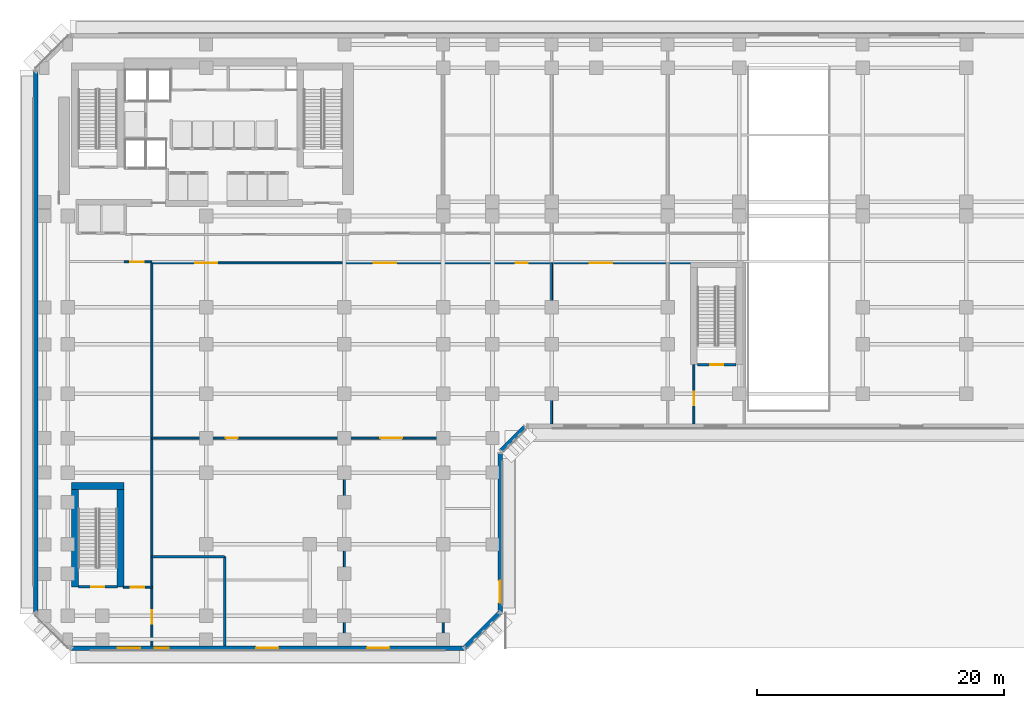
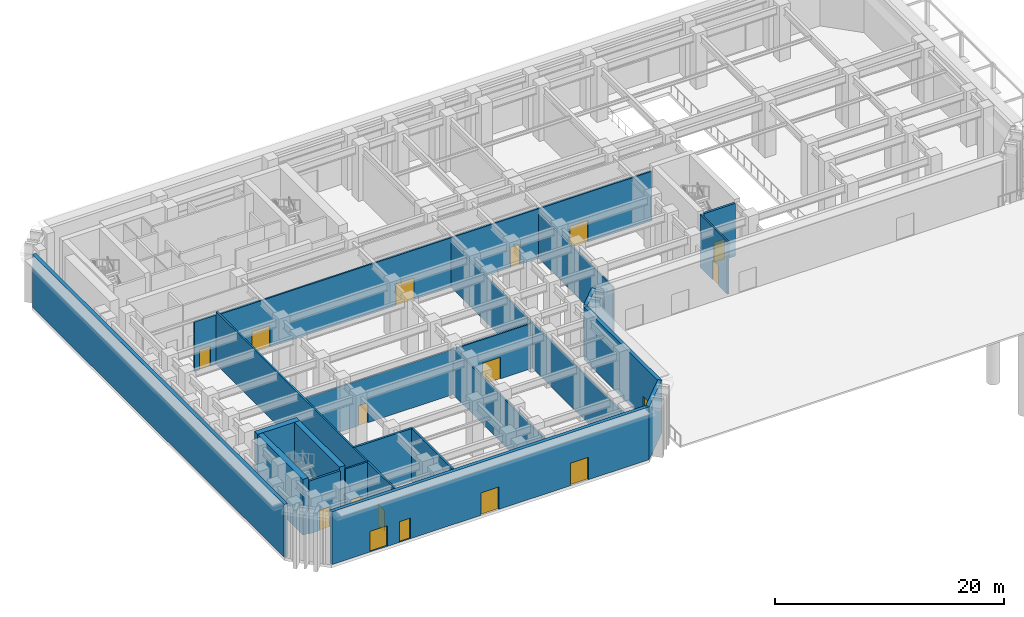
# One storey, part 7 of 18: 21 walls, 17 doors, 17 openings.
"""IFC4 building model written with IfcOpenShell, lengths in metres."""

from ifc_helpers import new_model, si_unit, direction, frame, frame_2d, origin, place, context, subcontext, project, spatial, rectangle, extrude, material, layer, layer_set, type_object, element, fill, save


model = new_model("IFC4")

# Units and contexts
model_context = context("Model", 3, precision=1e-05, world=origin(), true_north=direction((0.0, 1.0)))
body_context = subcontext(model_context, "Body", "Model", "MODEL_VIEW")
ifc_project = project(units=[si_unit("LENGTHUNIT", "METRE"), si_unit("AREAUNIT", "SQUARE_METRE"), si_unit("VOLUMEUNIT", "CUBIC_METRE"), si_unit("PLANEANGLEUNIT", "RADIAN"), si_unit("MASSUNIT", "GRAM", prefix="KILO")], contexts=[model_context])

# Site, building, storey
site_placement = place(None, origin())
site = spatial("IfcSite", under=ifc_project, at=site_placement, CompositionType="ELEMENT")
building_placement = place(site_placement, origin())
building = spatial("IfcBuilding", under=site, at=building_placement, Name="Kefirva Bronze Tower", CompositionType="ELEMENT")
storey_placement = place(building_placement, origin())
storey = spatial("IfcBuildingStorey", under=building, at=storey_placement, Name="L00", CompositionType="ELEMENT", Elevation=0.0)

# Wall, opening, door
ifc_material_1 = material(Name="Gypsum fireboard shaftwall")
ifc_layer_1 = layer(ifc_material_1, 0.219970703125, Name="Gypsum fireboard shaftwall")
ifc_layer_set_1 = layer_set([ifc_layer_1], Name="Gypsum fireboard shaftwall")
wall_type_1 = type_object("IfcWallType", Name="Fire-Rated Shaft Enclosure Wall 220mm", PredefinedType="PARTITIONING", material=ifc_layer_set_1)
wall_1_placement = place(storey_placement, frame((1.64990234375, 3.14990234375, 0.0), z_axis=(0.0, 0.0, 1.0), x_axis=(1.0, 0.0, 0.0)))
wall_1 = element("IfcWall", 1, at=wall_1_placement, inside=storey, type_object=wall_type_1, Name="L00 Partition W-L00-ST3S", PredefinedType="PARTITIONING", context=body_context, shape_type="SweptSolid", body=[
    extrude(rectangle(XDim=3.150146484375, YDim=0.219970703125, at=frame_2d((1.5751953125, 0.0))), origin(), (0.0, 0.0, 1.0), 5.6201171875),
])
opening_1_placement = place(wall_1_placement, frame((2.10009765625, 0.0, 0.0), z_axis=(0.0, 0.0, 1.0), x_axis=(-1.0, 0.0, 0.0)))
opening_1 = element("IfcOpeningElement", 2, at=opening_1_placement, cuts=wall_1, Name="Opening L00-D-ST3", PredefinedType="OPENING", context=body_context, shape_type="SweptSolid", body=[
    extrude(rectangle(XDim=1.050048828125, YDim=2.14990234375, at=frame_2d((0.52490234375, 1.074951171875))), frame((0.0, 0.1201171875, 0.0), z_axis=(0.0, -1.0, 0.0), x_axis=(1.0, 0.0, 0.0)), (0.0, 0.0, 1.0), 0.239990234375),
])
ifc_material_2 = material(Name="Painted galvanized steel", Category="steel")
door_type_1 = type_object("IfcDoorType", Name="Fire Stair Enclosure Door 1050x2150 FD90S", OperationType="NOTDEFINED", PredefinedType="DOOR", material=ifc_material_2)
door_1_placement = place(opening_1_placement, origin())
door_1 = element("IfcDoor", 3, at=door_1_placement, inside=storey, type_object=door_type_1, Name="Door L00-D-ST3", OperationType="SINGLE_SWING_LEFT", OverallHeight=2.14990234375, OverallWidth=1.050048828125, PredefinedType="DOOR", context=body_context, shape_type="SweptSolid", body=[
    extrude(rectangle(XDim=1.050048828125, YDim=2.14990234375, at=frame_2d((0.52490234375, 1.074951171875))), frame((0.0, 0.02490234375, 0.0), z_axis=(0.0, -1.0, 0.0), x_axis=(1.0, 0.0, 0.0)), (0.0, 0.0, 1.0), 0.050048828125),
])
fill(opening_1, door_1)

wall_2_placement = place(storey_placement, frame((51.800048828125, 21.14990234375, 0.0), z_axis=(0.0, 0.0, 1.0), x_axis=(1.0, 0.0, 0.0)))
wall_2 = element("IfcWall", 4, at=wall_2_placement, inside=storey, type_object=wall_type_1, Name="L00 Partition W-L00-ST4S", PredefinedType="PARTITIONING", context=body_context, shape_type="SweptSolid", body=[
    extrude(rectangle(XDim=3.14990234375, YDim=0.219970703125, at=frame_2d((1.574951171875, 0.0))), origin(), (0.0, 0.0, 1.0), 5.6201171875),
])
opening_2_placement = place(wall_2_placement, frame((2.10009765625, 0.0, 0.0), z_axis=(0.0, 0.0, 1.0), x_axis=(-1.0, 0.0, 0.0)))
opening_2 = element("IfcOpeningElement", 5, at=opening_2_placement, cuts=wall_2, Name="Opening L00-D-ST4", PredefinedType="OPENING", context=body_context, shape_type="SweptSolid", body=[
    extrude(rectangle(XDim=1.050048828125, YDim=2.14990234375, at=frame_2d((0.52490234375, 1.074951171875))), frame((0.0, 0.1201171875, 0.0), z_axis=(0.0, -1.0, 0.0), x_axis=(1.0, 0.0, 0.0)), (0.0, 0.0, 1.0), 0.239990234375),
])
door_2_placement = place(opening_2_placement, origin())
door_2 = element("IfcDoor", 6, at=door_2_placement, inside=storey, type_object=door_type_1, Name="Door L00-D-ST4", OperationType="SINGLE_SWING_RIGHT", OverallHeight=2.14990234375, OverallWidth=1.050048828125, PredefinedType="DOOR", context=body_context, shape_type="SweptSolid", body=[
    extrude(rectangle(XDim=1.050048828125, YDim=2.14990234375, at=frame_2d((0.52490234375, 1.074951171875))), frame((0.0, 0.02490234375, 0.0), z_axis=(0.0, -1.0, 0.0), x_axis=(1.0, 0.0, 0.0)), (0.0, 0.0, 1.0), 0.050048828125),
])
fill(opening_2, door_2)

ifc_material_3 = material(Name="Gypsum fireboard barrier")
ifc_layer_2 = layer(ifc_material_3, 0.199951171875, Name="Gypsum fireboard barrier")
ifc_layer_set_2 = layer_set([ifc_layer_2], Name="Gypsum fireboard barrier")
wall_type_2 = type_object("IfcWallType", Name="Firefighting Lobby Barrier Wall 200mm", PredefinedType="PARTITIONING", material=ifc_layer_set_2)
wall_3_placement = place(storey_placement, frame((5.300048828125, 3.1201171875, 0.0), z_axis=(0.0, 0.0, 1.0), x_axis=(1.0, 0.0, 0.0)))
wall_3 = element("IfcWall", 7, at=wall_3_placement, inside=storey, type_object=wall_type_2, Name="L00 Partition W-L00-ST3VN", PredefinedType="PARTITIONING", context=body_context, shape_type="SweptSolid", body=[
    extrude(rectangle(XDim=2.300048828125, YDim=0.159912109375, at=frame_2d((1.14990234375, 0.0))), origin(), (0.0, 0.0, 1.0), 5.6201171875),
])
opening_3_placement = place(wall_3_placement, frame((0.60009765625, 0.0, 0.0)))
opening_3 = element("IfcOpeningElement", 8, at=opening_3_placement, cuts=wall_3, Name="Opening L00-D-ST3VN", PredefinedType="OPENING", context=body_context, shape_type="SweptSolid", body=[
    extrude(rectangle(XDim=1.10009765625, YDim=2.14990234375, at=frame_2d((0.550048828125, 1.074951171875))), frame((0.0, 0.08984375, 0.0), z_axis=(0.0, -1.0, 0.0), x_axis=(1.0, 0.0, 0.0)), (0.0, 0.0, 1.0), 0.179931640625),
])
door_type_2 = type_object("IfcDoorType", Name="Firefighting Lobby Smoke Door 1100x2150 FD60S", OperationType="NOTDEFINED", PredefinedType="DOOR", material=ifc_material_2)
door_3_placement = place(opening_3_placement, origin())
door_3 = element("IfcDoor", 9, at=door_3_placement, inside=storey, type_object=door_type_2, Name="Door L00-D-ST3VN", OperationType="SINGLE_SWING_LEFT", OverallHeight=2.14990234375, OverallWidth=1.10009765625, PredefinedType="DOOR", context=body_context, shape_type="SweptSolid", body=[
    extrude(rectangle(XDim=1.10009765625, YDim=2.14990234375, at=frame_2d((0.550048828125, 1.074951171875))), frame((0.0, 0.02490234375, 0.0), z_axis=(0.0, -1.0, 0.0), x_axis=(1.0, 0.0, 0.0)), (0.0, 0.0, 1.0), 0.050048828125),
])
fill(opening_3, door_3)

wall_4_placement = place(storey_placement, frame((5.35009765625, 29.47998046875, 0.0), z_axis=(0.0, 0.0, 1.0), x_axis=(1.0, 0.0, 0.0)))
wall_4 = element("IfcWall", 10, at=wall_4_placement, inside=storey, type_object=wall_type_2, Name="L00 Partition W-L00-SWCRN", PredefinedType="PARTITIONING", context=body_context, shape_type="SweptSolid", body=[
    extrude(rectangle(XDim=2.25, YDim=0.159912109375, at=frame_2d((1.125, 0.0))), origin(), (0.0, 0.0, 1.0), 5.27490234375),
])
opening_4_placement = place(wall_4_placement, frame((0.5, 0.0, 0.0)))
opening_4 = element("IfcOpeningElement", 11, at=opening_4_placement, cuts=wall_4, Name="Opening L00-D-SWCRN", PredefinedType="OPENING", context=body_context, shape_type="SweptSolid", body=[
    extrude(rectangle(XDim=1.10009765625, YDim=2.14990234375, at=frame_2d((0.550048828125, 1.074951171875))), frame((0.0, 0.08984375, 0.0), z_axis=(0.0, -1.0, 0.0), x_axis=(1.0, 0.0, 0.0)), (0.0, 0.0, 1.0), 0.179931640625),
])
door_4_placement = place(opening_4_placement, origin())
door_4 = element("IfcDoor", 12, at=door_4_placement, inside=storey, type_object=door_type_2, Name="Door L00-D-SWCRN", OperationType="SINGLE_SWING_RIGHT", OverallHeight=2.14990234375, OverallWidth=1.10009765625, PredefinedType="DOOR", context=body_context, shape_type="SweptSolid", body=[
    extrude(rectangle(XDim=1.10009765625, YDim=2.14990234375, at=frame_2d((0.550048828125, 1.074951171875))), frame((0.0, 0.02490234375, 0.0), z_axis=(0.0, -1.0, 0.0), x_axis=(1.0, 0.0, 0.0)), (0.0, 0.0, 1.0), 0.050048828125),
])
fill(opening_4, door_4)

wall_5_placement = place(storey_placement, frame((51.52001953125, 16.360107421875, 0.0), z_axis=(0.0, 0.0, 1.0), x_axis=(0.0, 1.0, 0.0)))
wall_5 = element("IfcWall", 13, at=wall_5_placement, inside=storey, type_object=wall_type_2, Name="L00 Partition W-L00-ST4PW", PredefinedType="PARTITIONING", context=body_context, shape_type="SweptSolid", body=[
    extrude(rectangle(XDim=4.789794921875, YDim=0.159912109375, at=frame_2d((2.39501953125, 0.0))), origin(), (0.0, 0.0, 1.0), 5.6201171875),
])
opening_5_placement = place(wall_5_placement, frame((1.5, 0.0, 0.0)))
opening_5 = element("IfcOpeningElement", 14, at=opening_5_placement, cuts=wall_5, Name="Opening L00-D-ST4PW", PredefinedType="OPENING", context=body_context, shape_type="SweptSolid", body=[
    extrude(rectangle(XDim=1.10009765625, YDim=2.14990234375, at=frame_2d((0.550048828125, 1.074951171875))), frame((0.0, 0.08984375, 0.0), z_axis=(0.0, -1.0, 0.0), x_axis=(1.0, 0.0, 0.0)), (0.0, 0.0, 1.0), 0.179931640625),
])
door_5_placement = place(opening_5_placement, origin())
door_5 = element("IfcDoor", 15, at=door_5_placement, inside=storey, type_object=door_type_2, Name="Door L00-D-ST4PW", OperationType="SINGLE_SWING_LEFT", OverallHeight=2.14990234375, OverallWidth=1.10009765625, PredefinedType="DOOR", context=body_context, shape_type="SweptSolid", body=[
    extrude(rectangle(XDim=1.10009765625, YDim=2.14990234375, at=frame_2d((0.550048828125, 1.074951171875))), frame((0.0, 0.02490234375, 0.0), z_axis=(0.0, -1.0, 0.0), x_axis=(1.0, 0.0, 0.0)), (0.0, 0.0, 1.0), 0.050048828125),
])
fill(opening_5, door_5)

# Walls
wall_6_placement = place(storey_placement, frame((7.60009765625, 5.60009765625, 0.0), z_axis=(0.0, 0.0, 1.0), x_axis=(1.0, 0.0, 0.0)))
element("IfcWall", 16, at=wall_6_placement, inside=storey, type_object=wall_type_2, Name="L00 Partition W-L00-FCCN", PredefinedType="PARTITIONING", context=body_context, shape_type="SweptSolid", body=[
    extrude(rectangle(XDim=5.89990234375, YDim=0.199951171875, at=frame_2d((2.949951171875, 0.0))), origin(), (0.0, 0.0, 1.0), 5.6201171875),
])
wall_7_placement = place(storey_placement, frame((13.5, -1.639892578125, 0.0), z_axis=(0.0, 0.0, 1.0), x_axis=(0.0, 1.0, 0.0)))
element("IfcWall", 17, at=wall_7_placement, inside=storey, type_object=wall_type_2, Name="L00 Partition W-L00-FCCE", PredefinedType="PARTITIONING", context=body_context, shape_type="SweptSolid", body=[
    extrude(rectangle(XDim=7.239990234375, YDim=0.199951171875, at=frame_2d((3.6201171875, 0.0))), origin(), (0.0, 0.0, 1.0), 5.6201171875),
])

# Wall, openings, doors
ifc_material_4 = material(Name="Precast concrete C40/50", Category="concrete")
ifc_layer_3 = layer(ifc_material_4, 0.360107421875, Name="Precast concrete C40/50")
ifc_layer_set_3 = layer_set([ifc_layer_3], Name="Precast concrete C40/50")
wall_type_3 = type_object("IfcWallType", Name="Precast Podium Facade Wall 360mm", PredefinedType="SOLIDWALL", material=ifc_layer_set_3)
wall_8_placement = place(storey_placement, frame((1.054931640625, -1.820068359375, 0.0), z_axis=(0.0, 0.0, 1.0), x_axis=(1.0, 0.0, 0.0)))
wall_8 = element("IfcWall", 18, at=wall_8_placement, inside=storey, type_object=wall_type_3, Name="L00 Exterior Facade Wall 1", PredefinedType="SOLIDWALL", context=body_context, shape_type="SweptSolid", body=[
    extrude(rectangle(XDim=31.89013671875, YDim=0.360107421875, at=frame_2d((15.945068359375, 0.0))), origin(), (0.0, 0.0, 1.0), 5.6201171875),
])
opening_6_placement = place(wall_8_placement, frame((5.60009765625, 0.0, 0.0), z_axis=(0.0, 0.0, 1.0), x_axis=(-1.0, 0.0, 0.0)))
opening_6 = element("IfcOpeningElement", 19, at=opening_6_placement, cuts=wall_8, Name="Opening D-EX2", PredefinedType="OPENING", context=body_context, shape_type="SweptSolid", body=[
    extrude(rectangle(XDim=1.800048828125, YDim=2.199951171875, at=frame_2d((0.89990234375, 1.10009765625))), frame((0.0, 0.18994140625, 0.0), z_axis=(0.0, -1.0, 0.0), x_axis=(1.0, 0.0, 0.0)), (0.0, 0.0, 1.0), 0.380126953125),
])
opening_7_placement = place(wall_8_placement, frame((7.900146484375, 0.0, 0.0), z_axis=(0.0, 0.0, 1.0), x_axis=(-1.0, 0.0, 0.0)))
opening_7 = element("IfcOpeningElement", 20, at=opening_7_placement, cuts=wall_8, Name="Opening D-TR1", PredefinedType="OPENING", context=body_context, shape_type="SweptSolid", body=[
    extrude(rectangle(XDim=1.10009765625, YDim=2.199951171875, at=frame_2d((0.550048828125, 1.10009765625))), frame((0.0, 0.18994140625, 0.0), z_axis=(0.0, -1.0, 0.0), x_axis=(1.0, 0.0, 0.0)), (0.0, 0.0, 1.0), 0.380126953125),
])
opening_8_placement = place(wall_8_placement, frame((16.800048828125, 0.0, 0.0), z_axis=(0.0, 0.0, 1.0), x_axis=(-1.0, 0.0, 0.0)))
opening_8 = element("IfcOpeningElement", 21, at=opening_8_placement, cuts=wall_8, Name="Opening D-EX1", PredefinedType="OPENING", context=body_context, shape_type="SweptSolid", body=[
    extrude(rectangle(XDim=1.800048828125, YDim=2.39990234375, at=frame_2d((0.89990234375, 1.199951171875))), frame((0.0, 0.18994140625, 0.0), z_axis=(0.0, -1.0, 0.0), x_axis=(1.0, 0.0, 0.0)), (0.0, 0.0, 1.0), 0.380126953125),
])
opening_9_placement = place(wall_8_placement, frame((25.800048828125, 0.0, 0.0), z_axis=(0.0, 0.0, 1.0), x_axis=(-1.0, 0.0, 0.0)))
opening_9 = element("IfcOpeningElement", 22, at=opening_9_placement, cuts=wall_8, Name="Opening D-EX1", PredefinedType="OPENING", context=body_context, shape_type="SweptSolid", body=[
    extrude(rectangle(XDim=1.800048828125, YDim=2.39990234375, at=frame_2d((0.89990234375, 1.199951171875))), frame((0.0, 0.18994140625, 0.0), z_axis=(0.0, -1.0, 0.0), x_axis=(1.0, 0.0, 0.0)), (0.0, 0.0, 1.0), 0.380126953125),
])
ifc_material_5 = material(Name="Bronze anodised aluminium", Category="aluminium")
door_type_3 = type_object("IfcDoorType", Name="Exterior Ground Stair Discharge Door 1800x2200", OperationType="DOUBLE_DOOR_SINGLE_SWING", PredefinedType="DOOR", material=ifc_material_5)
door_6_placement = place(opening_6_placement, origin())
door_6 = element("IfcDoor", 23, at=door_6_placement, inside=storey, type_object=door_type_3, Name="L00 Stair 3 Direct Exterior Exit Door", OperationType="DOUBLE_DOOR_SINGLE_SWING", OverallHeight=2.199951171875, OverallWidth=1.800048828125, PredefinedType="DOOR", context=body_context, shape_type="SweptSolid", body=[
    extrude(rectangle(XDim=1.800048828125, YDim=2.199951171875, at=frame_2d((0.89990234375, 1.10009765625))), frame((0.0, 0.02490234375, 0.0), z_axis=(0.0, -1.0, 0.0), x_axis=(1.0, 0.0, 0.0)), (0.0, 0.0, 1.0), 0.050048828125),
])
fill(opening_6, door_6)
door_type_4 = type_object("IfcDoorType", Name="Exterior Plaza Double Entrance Door 1800x2400", OperationType="DOUBLE_DOOR_SINGLE_SWING", PredefinedType="DOOR", material=ifc_material_5)
door_7_placement = place(opening_8_placement, origin())
door_7 = element("IfcDoor", 24, at=door_7_placement, inside=storey, type_object=door_type_4, Name="L00 South Concourse Entrance Door 1", OperationType="DOUBLE_DOOR_SINGLE_SWING", OverallHeight=2.39990234375, OverallWidth=1.800048828125, PredefinedType="DOOR", context=body_context, shape_type="SweptSolid", body=[
    extrude(rectangle(XDim=1.800048828125, YDim=2.39990234375, at=frame_2d((0.89990234375, 1.199951171875))), frame((0.0, 0.02490234375, 0.0), z_axis=(0.0, -1.0, 0.0), x_axis=(1.0, 0.0, 0.0)), (0.0, 0.0, 1.0), 0.050048828125),
])
fill(opening_8, door_7)
door_8_placement = place(opening_9_placement, origin())
door_8 = element("IfcDoor", 25, at=door_8_placement, inside=storey, type_object=door_type_4, Name="L00 South Concourse Entrance Door 2", OperationType="DOUBLE_DOOR_SINGLE_SWING", OverallHeight=2.39990234375, OverallWidth=1.800048828125, PredefinedType="DOOR", context=body_context, shape_type="SweptSolid", body=[
    extrude(rectangle(XDim=1.800048828125, YDim=2.39990234375, at=frame_2d((0.89990234375, 1.199951171875))), frame((0.0, 0.02490234375, 0.0), z_axis=(0.0, -1.0, 0.0), x_axis=(1.0, 0.0, 0.0)), (0.0, 0.0, 1.0), 0.050048828125),
])
fill(opening_9, door_8)
door_type_5 = type_object("IfcDoorType", Name="Exterior Sky-Terrace Glazed Door 1100x2200", OperationType="NOTDEFINED", PredefinedType="DOOR", material=ifc_material_5)
door_9_placement = place(opening_7_placement, origin())
door_9 = element("IfcDoor", 26, at=door_9_placement, inside=storey, type_object=door_type_5, Name="L00 Fire Command Room Exterior Door", OperationType="SINGLE_SWING_LEFT", OverallHeight=2.199951171875, OverallWidth=1.10009765625, PredefinedType="DOOR", context=body_context, shape_type="SweptSolid", body=[
    extrude(rectangle(XDim=1.10009765625, YDim=2.199951171875, at=frame_2d((0.550048828125, 1.10009765625))), frame((0.0, 0.02490234375, 0.0), z_axis=(0.0, -1.0, 0.0), x_axis=(1.0, 0.0, 0.0)), (0.0, 0.0, 1.0), 0.050048828125),
])
fill(opening_7, door_9)

# Wall
wall_9_placement = place(storey_placement, frame((32.91162109375, -1.833740234375, 0.0), z_axis=(0.0, 0.0, 1.0), x_axis=(0.707106781187, 0.707106781187, 0.0)))
element("IfcWall", 27, at=wall_9_placement, inside=storey, type_object=wall_type_3, Name="L00 Exterior Facade Wall 2", PredefinedType="SOLIDWALL", context=body_context, shape_type="SweptSolid", body=[
    extrude(rectangle(XDim=4.132568359375, YDim=0.360107421875, at=frame_2d((2.06640625, 0.0))), origin(), (0.0, 0.0, 1.0), 5.6201171875),
])

# Wall, opening, door
wall_10_placement = place(storey_placement, frame((35.820068359375, 1.054931640625, 0.0), z_axis=(0.0, 0.0, 1.0), x_axis=(0.0, 1.0, 0.0)))
wall_10 = element("IfcWall", 28, at=wall_10_placement, inside=storey, type_object=wall_type_3, Name="L00 Exterior Facade Wall 3", PredefinedType="SOLIDWALL", context=body_context, shape_type="SweptSolid", body=[
    extrude(rectangle(XDim=12.89013671875, YDim=0.360107421875, at=frame_2d((6.445068359375, 0.0))), origin(), (0.0, 0.0, 1.0), 5.6201171875),
])
opening_10_placement = place(wall_10_placement, frame((2.60009765625, 0.0, 0.0), z_axis=(0.0, 0.0, 1.0), x_axis=(-1.0, 0.0, 0.0)))
opening_10 = element("IfcOpeningElement", 29, at=opening_10_placement, cuts=wall_10, Name="Opening D-EX1", PredefinedType="OPENING", context=body_context, shape_type="SweptSolid", body=[
    extrude(rectangle(XDim=1.800048828125, YDim=2.39990234375, at=frame_2d((0.89990234375, 1.199951171875))), frame((0.0, 0.18994140625, 0.0), z_axis=(0.0, -1.0, 0.0), x_axis=(1.0, 0.0, 0.0)), (0.0, 0.0, 1.0), 0.380126953125),
])
door_10_placement = place(opening_10_placement, origin())
door_10 = element("IfcDoor", 30, at=door_10_placement, inside=storey, type_object=door_type_4, Name="L00 Southeast Plaza Entrance Door 3", OperationType="DOUBLE_DOOR_SINGLE_SWING", OverallHeight=2.39990234375, OverallWidth=1.800048828125, PredefinedType="DOOR", context=body_context, shape_type="SweptSolid", body=[
    extrude(rectangle(XDim=1.800048828125, YDim=2.39990234375, at=frame_2d((0.89990234375, 1.199951171875))), frame((0.0, 0.02490234375, 0.0), z_axis=(0.0, -1.0, 0.0), x_axis=(1.0, 0.0, 0.0)), (0.0, 0.0, 1.0), 0.050048828125),
])
fill(opening_10, door_10)

# Walls
wall_11_placement = place(storey_placement, frame((35.91162109375, 14.166259765625, 0.0), z_axis=(0.0, 0.0, 1.0), x_axis=(0.707106781187, 0.707106781187, 0.0)))
element("IfcWall", 31, at=wall_11_placement, inside=storey, type_object=wall_type_3, Name="L00 Exterior Facade Wall 4", PredefinedType="SOLIDWALL", context=body_context, shape_type="SweptSolid", body=[
    extrude(rectangle(XDim=2.71826171875, YDim=0.360107421875, at=frame_2d((1.359130859375, 0.0))), origin(), (0.0, 0.0, 1.0), 5.6201171875),
])
wall_12_placement = place(storey_placement, frame((-1.820068359375, 44.945068359375, 0.0), z_axis=(0.0, 0.0, 1.0), x_axis=(0.0, -1.0, 0.0)))
element("IfcWall", 32, at=wall_12_placement, inside=storey, type_object=wall_type_3, Name="L00 Exterior Facade Wall 11", PredefinedType="SOLIDWALL", context=body_context, shape_type="SweptSolid", body=[
    extrude(rectangle(XDim=43.89013671875, YDim=0.360107421875, at=frame_2d((21.945068359375, 0.0))), origin(), (0.0, 0.0, 1.0), 5.6201171875),
])

# Wall, opening, door
ifc_material_6 = material(Name="Gypsum acoustic partition")
ifc_layer_4 = layer(ifc_material_6, 0.159912109375, Name="Gypsum acoustic partition")
ifc_layer_set_4 = layer_set([ifc_layer_4], Name="Gypsum acoustic partition")
wall_type_4 = type_object("IfcWallType", Name="Protected Corridor Partition 160mm", PredefinedType="PARTITIONING", material=ifc_layer_set_4)
wall_13_placement = place(storey_placement, frame((7.60009765625, -1.639892578125, 0.0), z_axis=(0.0, 0.0, 1.0), x_axis=(0.0, 1.0, 0.0)))
wall_13 = element("IfcWall", 33, at=wall_13_placement, inside=storey, type_object=wall_type_4, Name="L00 Partition W-L00-SWCE", PredefinedType="PARTITIONING", context=body_context, shape_type="SweptSolid", body=[
    extrude(rectangle(XDim=31.039794921875, YDim=0.159912109375, at=frame_2d((15.52001953125, 0.0))), origin(), (0.0, 0.0, 1.0), 5.6201171875),
])
opening_11_placement = place(wall_13_placement, frame((1.800048828125, 0.0, 0.0)))
opening_11 = element("IfcOpeningElement", 34, at=opening_11_placement, cuts=wall_13, Name="Opening L00-D-FCC", PredefinedType="OPENING", context=body_context, shape_type="SweptSolid", body=[
    extrude(rectangle(XDim=1.10009765625, YDim=2.14990234375, at=frame_2d((0.550048828125, 1.074951171875))), frame((0.0, 0.08984375, 0.0), z_axis=(0.0, -1.0, 0.0), x_axis=(1.0, 0.0, 0.0)), (0.0, 0.0, 1.0), 0.179931640625),
])
door_11_placement = place(opening_11_placement, origin())
door_11 = element("IfcDoor", 35, at=door_11_placement, inside=storey, type_object=door_type_2, Name="Door L00-D-FCC", OperationType="SINGLE_SWING_RIGHT", OverallHeight=2.14990234375, OverallWidth=1.10009765625, PredefinedType="DOOR", context=body_context, shape_type="SweptSolid", body=[
    extrude(rectangle(XDim=1.10009765625, YDim=2.14990234375, at=frame_2d((0.550048828125, 1.074951171875))), frame((0.0, 0.02490234375, 0.0), z_axis=(0.0, -1.0, 0.0), x_axis=(1.0, 0.0, 0.0)), (0.0, 0.0, 1.0), 0.050048828125),
])
fill(opening_11, door_11)

# Wall, openings, doors
wall_14_placement = place(storey_placement, frame((7.60009765625, 29.39990234375, 0.0), z_axis=(0.0, 0.0, 1.0), x_axis=(1.0, 0.0, 0.0)))
wall_14 = element("IfcWall", 36, at=wall_14_placement, inside=storey, type_object=wall_type_4, Name="L00 Partition W-L00-SHL", PredefinedType="PARTITIONING", context=body_context, shape_type="SweptSolid", body=[
    extrude(rectangle(XDim=43.75, YDim=0.159912109375, at=frame_2d((21.875, 0.0))), origin(), (0.0, 0.0, 1.0), 5.27490234375),
])
opening_12_placement = place(wall_14_placement, frame((3.5, 0.0, 0.0)))
opening_12 = element("IfcOpeningElement", 37, at=opening_12_placement, cuts=wall_14, Name="Opening L00-D-CONC1", PredefinedType="OPENING", context=body_context, shape_type="SweptSolid", body=[
    extrude(rectangle(XDim=1.800048828125, YDim=2.300048828125, at=frame_2d((0.89990234375, 1.14990234375))), frame((0.0, 0.08984375, 0.0), z_axis=(0.0, -1.0, 0.0), x_axis=(1.0, 0.0, 0.0)), (0.0, 0.0, 1.0), 0.179931640625),
])
opening_13_placement = place(wall_14_placement, frame((18.0, 0.0, 0.0)))
opening_13 = element("IfcOpeningElement", 38, at=opening_13_placement, cuts=wall_14, Name="Opening L00-D-CONC2", PredefinedType="OPENING", context=body_context, shape_type="SweptSolid", body=[
    extrude(rectangle(XDim=1.800048828125, YDim=2.300048828125, at=frame_2d((0.89990234375, 1.14990234375))), frame((0.0, 0.08984375, 0.0), z_axis=(0.0, -1.0, 0.0), x_axis=(1.0, 0.0, 0.0)), (0.0, 0.0, 1.0), 0.179931640625),
])
opening_14_placement = place(wall_14_placement, frame((29.5, 0.0, 0.0)))
opening_14 = element("IfcOpeningElement", 39, at=opening_14_placement, cuts=wall_14, Name="Opening L00-D-SECOF", PredefinedType="OPENING", context=body_context, shape_type="SweptSolid", body=[
    extrude(rectangle(XDim=0.949951171875, YDim=2.14990234375, at=frame_2d((0.47509765625, 1.074951171875))), frame((0.0, 0.08984375, 0.0), z_axis=(0.0, -1.0, 0.0), x_axis=(1.0, 0.0, 0.0)), (0.0, 0.0, 1.0), 0.179931640625),
])
opening_15_placement = place(wall_14_placement, frame((35.5, 0.0, 0.0)))
opening_15 = element("IfcOpeningElement", 40, at=opening_15_placement, cuts=wall_14, Name="Opening L00-D-VIS", PredefinedType="OPENING", context=body_context, shape_type="SweptSolid", body=[
    extrude(rectangle(XDim=1.800048828125, YDim=2.300048828125, at=frame_2d((0.89990234375, 1.14990234375))), frame((0.0, 0.08984375, 0.0), z_axis=(0.0, -1.0, 0.0), x_axis=(1.0, 0.0, 0.0)), (0.0, 0.0, 1.0), 0.179931640625),
])
ifc_material_7 = material(Name="Acoustic hardwood oak", Category="wood")
door_type_6 = type_object("IfcDoorType", Name="Auditorium & Dining Double Door 1800x2300", OperationType="DOUBLE_DOOR_SINGLE_SWING", PredefinedType="DOOR", material=ifc_material_7)
door_12_placement = place(opening_12_placement, origin())
door_12 = element("IfcDoor", 41, at=door_12_placement, inside=storey, type_object=door_type_6, Name="Door L00-D-CONC1", OperationType="SINGLE_SWING_LEFT", OverallHeight=2.300048828125, OverallWidth=1.800048828125, PredefinedType="DOOR", context=body_context, shape_type="SweptSolid", body=[
    extrude(rectangle(XDim=1.800048828125, YDim=2.300048828125, at=frame_2d((0.89990234375, 1.14990234375))), frame((0.0, 0.02490234375, 0.0), z_axis=(0.0, -1.0, 0.0), x_axis=(1.0, 0.0, 0.0)), (0.0, 0.0, 1.0), 0.050048828125),
])
fill(opening_12, door_12)
door_13_placement = place(opening_13_placement, origin())
door_13 = element("IfcDoor", 42, at=door_13_placement, inside=storey, type_object=door_type_6, Name="Door L00-D-CONC2", OperationType="SINGLE_SWING_RIGHT", OverallHeight=2.300048828125, OverallWidth=1.800048828125, PredefinedType="DOOR", context=body_context, shape_type="SweptSolid", body=[
    extrude(rectangle(XDim=1.800048828125, YDim=2.300048828125, at=frame_2d((0.89990234375, 1.14990234375))), frame((0.0, 0.02490234375, 0.0), z_axis=(0.0, -1.0, 0.0), x_axis=(1.0, 0.0, 0.0)), (0.0, 0.0, 1.0), 0.050048828125),
])
fill(opening_13, door_13)
door_14_placement = place(opening_15_placement, origin())
door_14 = element("IfcDoor", 43, at=door_14_placement, inside=storey, type_object=door_type_6, Name="Door L00-D-VIS", OperationType="SINGLE_SWING_RIGHT", OverallHeight=2.300048828125, OverallWidth=1.800048828125, PredefinedType="DOOR", context=body_context, shape_type="SweptSolid", body=[
    extrude(rectangle(XDim=1.800048828125, YDim=2.300048828125, at=frame_2d((0.89990234375, 1.14990234375))), frame((0.0, 0.02490234375, 0.0), z_axis=(0.0, -1.0, 0.0), x_axis=(1.0, 0.0, 0.0)), (0.0, 0.0, 1.0), 0.050048828125),
])
fill(opening_15, door_14)
door_type_7 = type_object("IfcDoorType", Name="Office & Meeting Room Door 950x2150", OperationType="NOTDEFINED", PredefinedType="DOOR", material=ifc_material_7)
door_15_placement = place(opening_14_placement, origin())
door_15 = element("IfcDoor", 44, at=door_15_placement, inside=storey, type_object=door_type_7, Name="Door L00-D-SECOF", OperationType="SINGLE_SWING_LEFT", OverallHeight=2.14990234375, OverallWidth=0.949951171875, PredefinedType="DOOR", context=body_context, shape_type="SweptSolid", body=[
    extrude(rectangle(XDim=0.949951171875, YDim=2.14990234375, at=frame_2d((0.47509765625, 1.074951171875))), frame((0.0, 0.02490234375, 0.0), z_axis=(0.0, -1.0, 0.0), x_axis=(1.0, 0.0, 0.0)), (0.0, 0.0, 1.0), 0.050048828125),
])
fill(opening_14, door_15)

wall_15_placement = place(storey_placement, frame((7.60009765625, 15.199951171875, 0.0), z_axis=(0.0, 0.0, 1.0), x_axis=(1.0, 0.0, 0.0)))
wall_15 = element("IfcWall", 45, at=wall_15_placement, inside=storey, type_object=wall_type_4, Name="L00 Partition W-L00-CONCDV", PredefinedType="PARTITIONING", context=body_context, shape_type="SweptSolid", body=[
    extrude(rectangle(XDim=23.599853515625, YDim=0.159912109375, at=frame_2d((11.7998046875, 0.0))), origin(), (0.0, 0.0, 1.0), 4.804931640625),
])
opening_16_placement = place(wall_15_placement, frame((6.0, 0.0, 0.0)))
opening_16 = element("IfcOpeningElement", 46, at=opening_16_placement, cuts=wall_15, Name="Opening L00-D-CONCW", PredefinedType="OPENING", context=body_context, shape_type="SweptSolid", body=[
    extrude(rectangle(XDim=0.949951171875, YDim=2.14990234375, at=frame_2d((0.47509765625, 1.074951171875))), frame((0.0, 0.08984375, 0.0), z_axis=(0.0, -1.0, 0.0), x_axis=(1.0, 0.0, 0.0)), (0.0, 0.0, 1.0), 0.179931640625),
])
opening_17_placement = place(wall_15_placement, frame((18.5, 0.0, 0.0)))
opening_17 = element("IfcOpeningElement", 47, at=opening_17_placement, cuts=wall_15, Name="Opening L00-D-CONCM", PredefinedType="OPENING", context=body_context, shape_type="SweptSolid", body=[
    extrude(rectangle(XDim=1.800048828125, YDim=2.300048828125, at=frame_2d((0.89990234375, 1.14990234375))), frame((0.0, 0.08984375, 0.0), z_axis=(0.0, -1.0, 0.0), x_axis=(1.0, 0.0, 0.0)), (0.0, 0.0, 1.0), 0.179931640625),
])
door_16_placement = place(opening_17_placement, origin())
door_16 = element("IfcDoor", 48, at=door_16_placement, inside=storey, type_object=door_type_6, Name="Door L00-D-CONCM", OperationType="SINGLE_SWING_RIGHT", OverallHeight=2.300048828125, OverallWidth=1.800048828125, PredefinedType="DOOR", context=body_context, shape_type="SweptSolid", body=[
    extrude(rectangle(XDim=1.800048828125, YDim=2.300048828125, at=frame_2d((0.89990234375, 1.14990234375))), frame((0.0, 0.02490234375, 0.0), z_axis=(0.0, -1.0, 0.0), x_axis=(1.0, 0.0, 0.0)), (0.0, 0.0, 1.0), 0.050048828125),
])
fill(opening_17, door_16)
door_17_placement = place(opening_16_placement, origin())
door_17 = element("IfcDoor", 49, at=door_17_placement, inside=storey, type_object=door_type_7, Name="Door L00-D-CONCW", OperationType="SINGLE_SWING_LEFT", OverallHeight=2.14990234375, OverallWidth=0.949951171875, PredefinedType="DOOR", context=body_context, shape_type="SweptSolid", body=[
    extrude(rectangle(XDim=0.949951171875, YDim=2.14990234375, at=frame_2d((0.47509765625, 1.074951171875))), frame((0.0, 0.02490234375, 0.0), z_axis=(0.0, -1.0, 0.0), x_axis=(1.0, 0.0, 0.0)), (0.0, 0.0, 1.0), 0.050048828125),
])
fill(opening_16, door_17)

# Walls
wall_16_placement = place(storey_placement, frame((23.199951171875, -1.639892578125, 0.0), z_axis=(0.0, 0.0, 1.0), x_axis=(0.0, 1.0, 0.0)))
element("IfcWall", 50, at=wall_16_placement, inside=storey, type_object=wall_type_4, Name="L00 Partition W-L00-CONCW", PredefinedType="PARTITIONING", context=body_context, shape_type="SweptSolid", body=[
    extrude(rectangle(XDim=16.83984375, YDim=0.159912109375, at=frame_2d((8.419921875, 0.0))), origin(), (0.0, 0.0, 1.0), 4.955078125),
])
wall_17_placement = place(storey_placement, frame((31.199951171875, -1.639892578125, 0.0), z_axis=(0.0, 0.0, 1.0), x_axis=(0.0, 1.0, 0.0)))
element("IfcWall", 51, at=wall_17_placement, inside=storey, type_object=wall_type_4, Name="L00 Partition W-L00-CONCE", PredefinedType="PARTITIONING", context=body_context, shape_type="SweptSolid", body=[
    extrude(rectangle(XDim=31.039794921875, YDim=0.159912109375, at=frame_2d((15.52001953125, 0.0))), origin(), (0.0, 0.0, 1.0), 4.804931640625),
])
wall_18_placement = place(storey_placement, frame((40.0, 16.360107421875, 0.0), z_axis=(0.0, 0.0, 1.0), x_axis=(0.0, 1.0, 0.0)))
element("IfcWall", 52, at=wall_18_placement, inside=storey, type_object=wall_type_4, Name="L00 Partition W-L00-VISW", PredefinedType="PARTITIONING", context=body_context, shape_type="SweptSolid", body=[
    extrude(rectangle(XDim=13.039794921875, YDim=0.159912109375, at=frame_2d((6.52001953125, 0.0))), origin(), (0.0, 0.0, 1.0), 4.804931640625),
])
ifc_material_8 = material(Name="Concrete C50/60", Category="concrete")
ifc_layer_5 = layer(ifc_material_8, 0.550048828125, Name="Concrete C50/60")
ifc_layer_set_5 = layer_set([ifc_layer_5], Name="Concrete C50/60")
wall_type_5 = type_object("IfcWallType", Name="RC Rear Core Interior Wall 550mm", PredefinedType="SHEAR", material=ifc_layer_set_5)
for number, where, z_axis, x_axis, name in (
    (53, (1.3701171875, 3.14990234375, 0.0), (0.0, 0.0, 1.0), (0.0, 1.0, 0.0), "L00 Stair 3 West Shear Wall"),
    (54, (5.070068359375, 3.14990234375, 0.0), (0.0, 0.0, 1.0), (0.0, 1.0, 0.0), "L00 Stair 3 East Shear Wall"),
):
    element("IfcWall", number, at=place(storey_placement, frame(where, z_axis=z_axis, x_axis=x_axis)), inside=storey, type_object=wall_type_5, Name=name, PredefinedType="SHEAR", context=body_context, shape_type="SweptSolid", body=[
        extrude(rectangle(XDim=7.89013671875, YDim=0.550048828125, at=frame_2d((3.945068359375, 0.0))), origin(), (0.0, 0.0, 1.0), 5.93994140625),
    ])
wall_19_placement = place(storey_placement, frame((1.10009765625, 11.320068359375, 0.0), z_axis=(0.0, 0.0, 1.0), x_axis=(1.0, 0.0, 0.0)))
element("IfcWall", 55, at=wall_19_placement, inside=storey, type_object=wall_type_5, Name="L00 Stair 3 North Shear Wall", PredefinedType="SHEAR", context=body_context, shape_type="SweptSolid", body=[
    extrude(rectangle(XDim=4.239990234375, YDim=0.550048828125, at=frame_2d((2.1201171875, 0.0))), origin(), (0.0, 0.0, 1.0), 5.93994140625),
])

save(model, "model.ifc")
